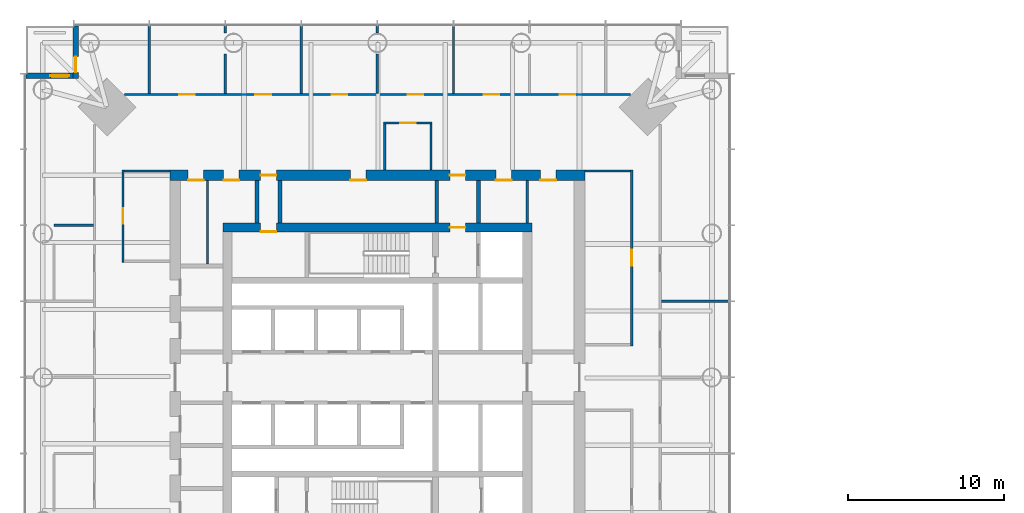
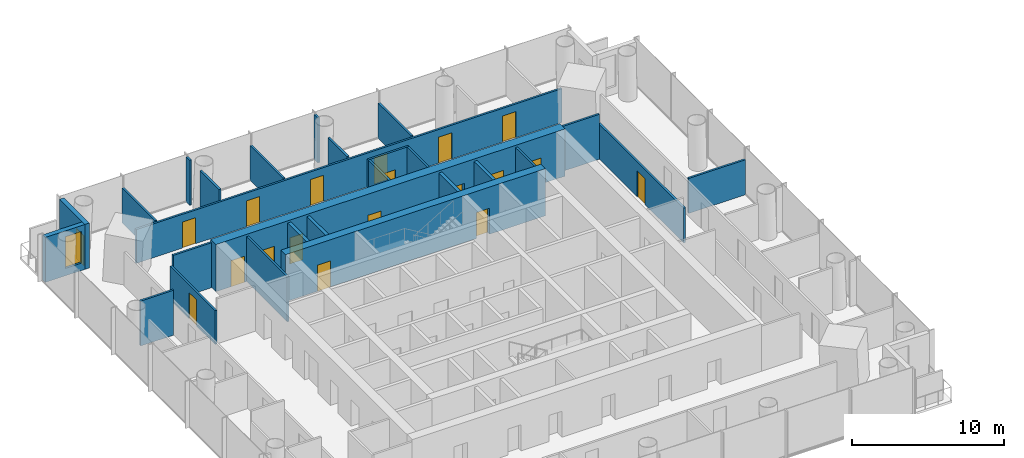
# One storey, part 11 of 20: 27 walls, 19 doors, 1 window, 20 openings.
"""IFC4 building model written with IfcOpenShell, lengths in metres."""

from ifc_helpers import new_model, si_unit, direction, frame, frame_2d, origin, place, context, subcontext, project, spatial, rectangle, extrude, material, layer, layer_set, type_object, element, fill, save


model = new_model("IFC4")

# Units and contexts
model_context = context("Model", 3, precision=1e-05, world=origin(), true_north=direction((0.0, 1.0)))
body_context = subcontext(model_context, "Body", "Model", "MODEL_VIEW")
ifc_project = project(units=[si_unit("LENGTHUNIT", "METRE"), si_unit("AREAUNIT", "SQUARE_METRE"), si_unit("VOLUMEUNIT", "CUBIC_METRE"), si_unit("PLANEANGLEUNIT", "RADIAN"), si_unit("MASSUNIT", "GRAM", prefix="KILO")], contexts=[model_context])

# Site, building, storey
site_placement = place(None, origin())
site = spatial("IfcSite", under=ifc_project, at=site_placement, CompositionType="ELEMENT")
building_placement = place(site_placement, origin())
building = spatial("IfcBuilding", under=site, at=building_placement, Name="Ostroluk Exchange", CompositionType="ELEMENT")
storey_placement = place(building_placement, frame((0.0, 0.0, 100.800048828125)))
storey = spatial("IfcBuildingStorey", under=building, at=storey_placement, Name="L25", CompositionType="ELEMENT", Elevation=100.800048828125)

# Walls
ifc_material_1 = material(Name="Concrete blockwork", Category="masonry")
ifc_layer_1 = layer(ifc_material_1, 0.14990234375)
ifc_layer_set_1 = layer_set([ifc_layer_1], Name="Blockwork plant room wall 150")
wall_type_1 = type_object("IfcWallType", Name="Blockwork plant room wall 150", PredefinedType="SOLIDWALL", material=ifc_layer_set_1)
wall_1_placement = place(storey_placement, frame((34.118896484375, 53.25, 0.0), z_axis=(0.0, 0.0, 1.0), x_axis=(0.0, 1.0, 0.0)))
element("IfcWall", 1, at=wall_1_placement, inside=storey, type_object=wall_type_1, Name="Core room wall", PredefinedType="SOLIDWALL", context=body_context, shape_type="SweptSolid", body=[
    extrude(rectangle(XDim=5.35009765625, YDim=0.14990234375, at=frame_2d((2.675048828125, 0.0))), origin(), (0.0, 0.0, 1.0), 3.619873046875),
])
wall_2_placement = place(storey_placement, frame((54.60009765625, 55.89990234375, 0.0), z_axis=(0.0, 0.0, 1.0), x_axis=(0.0, 1.0, 0.0)))
element("IfcWall", 2, at=wall_2_placement, inside=storey, type_object=wall_type_1, Name="Core room wall", PredefinedType="SOLIDWALL", context=body_context, shape_type="SweptSolid", body=[
    extrude(rectangle(XDim=2.7001953125, YDim=0.14990234375, at=frame_2d((1.35009765625, 0.0))), origin(), (0.0, 0.0, 1.0), 3.619873046875),
])
ifc_material_2 = material(Name="Concrete blockwork", Category="masonry")
ifc_layer_2 = layer(ifc_material_2, 0.25)
ifc_layer_set_2 = layer_set([ifc_layer_2], Name="Blockwork stair enclosure wall 250")
wall_type_2 = type_object("IfcWallType", Name="Blockwork stair enclosure wall 250", PredefinedType="SOLIDWALL", material=ifc_layer_set_2)
for number, where, z_axis, x_axis, name in (
    (3, (48.804931640625, 55.89990234375, 0.0), (0.0, 0.0, 1.0), (0.0, 1.0, 0.0), "Fire lobby enclosure wall"),
    (4, (51.47509765625, 55.89990234375, 0.0), (0.0, 0.0, 1.0), (0.0, 1.0, 0.0), "Fire lobby enclosure wall"),
    (5, (37.300048828125, 55.89990234375, 0.0), (0.0, 0.0, 1.0), (0.0, 1.0, 0.0), "Core corridor wall"),
    (6, (38.75, 55.89990234375, 0.0), (0.0, 0.0, 1.0), (0.0, 1.0, 0.0), "Core corridor wall"),
):
    element("IfcWall", number, at=place(storey_placement, frame(where, z_axis=z_axis, x_axis=x_axis)), inside=storey, type_object=wall_type_2, Name=name, PredefinedType="SOLIDWALL", context=body_context, shape_type="SweptSolid", body=[
        extrude(rectangle(XDim=2.7001953125, YDim=0.25, at=frame_2d((1.35009765625, 0.0))), origin(), (0.0, 0.0, 1.0), 3.619873046875),
    ])

# Wall, openings, doors
ifc_material_3 = material(Name="Concrete C50/60", Category="concrete")
ifc_layer_3 = layer(ifc_material_3, 0.60009765625)
ifc_layer_set_3 = layer_set([ifc_layer_3], Name="Core wall 600 C50/60")
wall_type_3 = type_object("IfcWallType", Name="Core wall 600 C50/60", PredefinedType="SHEAR", material=ifc_layer_set_3)
wall_3_placement = place(storey_placement, frame((35.10009765625, 55.60009765625, 0.0), z_axis=(0.0, 0.0, 1.0), x_axis=(1.0, 0.0, 0.0)))
wall_3 = element("IfcWall", 7, at=wall_3_placement, inside=storey, type_object=wall_type_3, Name="T1 core wall N", PredefinedType="SHEAR", context=body_context, shape_type="SweptSolid", body=[
    extrude(rectangle(XDim=19.7998046875, YDim=0.60009765625, at=frame_2d((9.89990234375, 0.0))), origin(), (0.0, 0.0, 1.0), 3.800048828125),
])
opening_1_placement = place(wall_3_placement, frame((14.5400390625, 0.0, 0.0)))
opening_1 = element("IfcOpeningElement", 8, at=opening_1_placement, cuts=wall_3, Name="Opening FD60", PredefinedType="OPENING", context=body_context, shape_type="SweptSolid", body=[
    extrude(rectangle(XDim=1.0, YDim=2.10009765625, at=frame_2d((0.5, 1.050048828125))), frame((0.0, 0.31005859375, 0.0), z_axis=(0.0, -1.0, 0.0), x_axis=(1.0, 0.0, 0.0)), (0.0, 0.0, 1.0), 0.6201171875),
])
opening_2_placement = place(wall_3_placement, frame((2.425048828125, 0.0, 0.0)))
opening_2 = element("IfcOpeningElement", 9, at=opening_2_placement, cuts=wall_3, Name="Opening FD60", PredefinedType="OPENING", context=body_context, shape_type="SweptSolid", body=[
    extrude(rectangle(XDim=1.0, YDim=2.10009765625, at=frame_2d((0.5, 1.050048828125))), frame((0.0, 0.31005859375, 0.0), z_axis=(0.0, -1.0, 0.0), x_axis=(1.0, 0.0, 0.0)), (0.0, 0.0, 1.0), 0.6201171875),
])
ifc_material_4 = material(Name="Steel", Category="steel")
door_type_1 = type_object("IfcDoorType", Name="Fire door EI 60 1000 x 2100", OperationType="SINGLE_SWING_LEFT", PredefinedType="DOOR", material=ifc_material_4)
door_1_placement = place(opening_1_placement, origin())
door_1 = element("IfcDoor", 10, at=door_1_placement, inside=storey, type_object=door_type_1, Name="Firefighting lobby door", OperationType="SINGLE_SWING_RIGHT", OverallHeight=2.10009765625, OverallWidth=1.0, PredefinedType="DOOR", context=body_context, shape_type="SweptSolid", body=[
    extrude(rectangle(XDim=1.0, YDim=2.10009765625, at=frame_2d((0.5, 1.050048828125))), frame((0.0, 0.02490234375, 0.0), z_axis=(0.0, -1.0, 0.0), x_axis=(1.0, 0.0, 0.0)), (0.0, 0.0, 1.0), 0.050048828125),
])
fill(opening_1, door_1)
door_2_placement = place(opening_2_placement, origin())
door_2 = element("IfcDoor", 11, at=door_2_placement, inside=storey, type_object=door_type_1, Name="Tea point door", OperationType="SINGLE_SWING_LEFT", OverallHeight=2.10009765625, OverallWidth=1.0, PredefinedType="DOOR", context=body_context, shape_type="SweptSolid", body=[
    extrude(rectangle(XDim=1.0, YDim=2.10009765625, at=frame_2d((0.5, 1.050048828125))), frame((0.0, -0.23974609375, 0.0), z_axis=(0.0, -1.0, 0.0), x_axis=(1.0, 0.0, 0.0)), (0.0, 0.0, 1.0), 0.050048828125),
])
fill(opening_2, door_2)

ifc_material_5 = material(Name="Concrete C50/60", Category="concrete")
ifc_layer_4 = layer(ifc_material_5, 0.699951171875)
ifc_layer_set_4 = layer_set([ifc_layer_4], Name="Core wall 700 C50/60")
wall_type_4 = type_object("IfcWallType", Name="Core wall 700 C50/60", PredefinedType="SHEAR", material=ifc_layer_set_4)
wall_4_placement = place(storey_placement, frame((31.699951171875, 58.949951171875, 0.0), z_axis=(0.0, 0.0, 1.0), x_axis=(1.0, 0.0, 0.0)))
wall_4 = element("IfcWall", 12, at=wall_4_placement, inside=storey, type_object=wall_type_4, Name="T1 core wall RN", PredefinedType="SHEAR", context=body_context, shape_type="SweptSolid", body=[
    extrude(rectangle(XDim=26.60009765625, YDim=0.699951171875, at=frame_2d((13.300048828125, 0.0))), origin(), (0.0, 0.0, 1.0), 3.800048828125),
])
opening_3_placement = place(wall_4_placement, frame((17.93994140625, 0.0, 0.0)))
opening_3 = element("IfcOpeningElement", 13, at=opening_3_placement, cuts=wall_4, Name="Opening FD60", PredefinedType="OPENING", context=body_context, shape_type="SweptSolid", body=[
    extrude(rectangle(XDim=1.0, YDim=2.10009765625, at=frame_2d((0.5, 1.050048828125))), frame((0.0, 0.35986328125, 0.0), z_axis=(0.0, -1.0, 0.0), x_axis=(1.0, 0.0, 0.0)), (0.0, 0.0, 1.0), 0.719970703125),
])
opening_4_placement = place(wall_4_placement, frame((5.824951171875, 0.0, 0.0)))
opening_4 = element("IfcOpeningElement", 14, at=opening_4_placement, cuts=wall_4, Name="Opening FD60", PredefinedType="OPENING", context=body_context, shape_type="SweptSolid", body=[
    extrude(rectangle(XDim=1.0, YDim=2.10009765625, at=frame_2d((0.5, 1.050048828125))), frame((0.0, 0.35986328125, 0.0), z_axis=(0.0, -1.0, 0.0), x_axis=(1.0, 0.0, 0.0)), (0.0, 0.0, 1.0), 0.719970703125),
])
opening_5_placement = place(wall_4_placement, frame((1.1689453125, 0.0, 0.0)))
opening_5 = element("IfcOpeningElement", 15, at=opening_5_placement, cuts=wall_4, Name="Opening FD60", PredefinedType="OPENING", context=body_context, shape_type="SweptSolid", body=[
    extrude(rectangle(XDim=1.0, YDim=2.10009765625, at=frame_2d((0.5, 1.050048828125))), frame((0.0, 0.35986328125, 0.0), z_axis=(0.0, -1.0, 0.0), x_axis=(1.0, 0.0, 0.0)), (0.0, 0.0, 1.0), 0.719970703125),
])
opening_6_placement = place(wall_4_placement, frame((3.447021484375, 0.0, 0.0)))
opening_6 = element("IfcOpeningElement", 16, at=opening_6_placement, cuts=wall_4, Name="Opening FD60", PredefinedType="OPENING", context=body_context, shape_type="SweptSolid", body=[
    extrude(rectangle(XDim=1.0, YDim=2.10009765625, at=frame_2d((0.5, 1.050048828125))), frame((0.0, 0.35986328125, 0.0), z_axis=(0.0, -1.0, 0.0), x_axis=(1.0, 0.0, 0.0)), (0.0, 0.0, 1.0), 0.719970703125),
])
opening_7_placement = place(wall_4_placement, frame((11.577392578125, 0.0, 0.0)))
opening_7 = element("IfcOpeningElement", 17, at=opening_7_placement, cuts=wall_4, Name="Opening FD60", PredefinedType="OPENING", context=body_context, shape_type="SweptSolid", body=[
    extrude(rectangle(XDim=1.0, YDim=2.10009765625, at=frame_2d((0.5, 1.050048828125))), frame((0.0, 0.35986328125, 0.0), z_axis=(0.0, -1.0, 0.0), x_axis=(1.0, 0.0, 0.0)), (0.0, 0.0, 1.0), 0.719970703125),
])
opening_8_placement = place(wall_4_placement, frame((20.89990234375, 0.0, 0.0)))
opening_8 = element("IfcOpeningElement", 18, at=opening_8_placement, cuts=wall_4, Name="Opening FD60", PredefinedType="OPENING", context=body_context, shape_type="SweptSolid", body=[
    extrude(rectangle(XDim=1.0, YDim=2.10009765625, at=frame_2d((0.5, 1.050048828125))), frame((0.0, 0.35986328125, 0.0), z_axis=(0.0, -1.0, 0.0), x_axis=(1.0, 0.0, 0.0)), (0.0, 0.0, 1.0), 0.719970703125),
])
opening_9_placement = place(wall_4_placement, frame((23.75, 0.0, 0.0)))
opening_9 = element("IfcOpeningElement", 19, at=opening_9_placement, cuts=wall_4, Name="Opening FD60", PredefinedType="OPENING", context=body_context, shape_type="SweptSolid", body=[
    extrude(rectangle(XDim=1.0, YDim=2.10009765625, at=frame_2d((0.5, 1.050048828125))), frame((0.0, 0.35986328125, 0.0), z_axis=(0.0, -1.0, 0.0), x_axis=(1.0, 0.0, 0.0)), (0.0, 0.0, 1.0), 0.719970703125),
])
door_3_placement = place(opening_3_placement, origin())
door_3 = element("IfcDoor", 20, at=door_3_placement, inside=storey, type_object=door_type_1, Name="Firefighting lobby door", OperationType="SINGLE_SWING_RIGHT", OverallHeight=2.10009765625, OverallWidth=1.0, PredefinedType="DOOR", context=body_context, shape_type="SweptSolid", body=[
    extrude(rectangle(XDim=1.0, YDim=2.10009765625, at=frame_2d((0.5, 1.050048828125))), frame((0.0, 0.02490234375, 0.0), z_axis=(0.0, -1.0, 0.0), x_axis=(1.0, 0.0, 0.0)), (0.0, 0.0, 1.0), 0.050048828125),
])
fill(opening_3, door_3)
door_4_placement = place(opening_4_placement, origin())
door_4 = element("IfcDoor", 21, at=door_4_placement, inside=storey, type_object=door_type_1, Name="Core corridor door", OperationType="SINGLE_SWING_LEFT", OverallHeight=2.10009765625, OverallWidth=1.0, PredefinedType="DOOR", context=body_context, shape_type="SweptSolid", body=[
    extrude(rectangle(XDim=1.0, YDim=2.10009765625, at=frame_2d((0.5, 1.050048828125))), frame((0.0, 0.02490234375, 0.0), z_axis=(0.0, -1.0, 0.0), x_axis=(1.0, 0.0, 0.0)), (0.0, 0.0, 1.0), 0.050048828125),
])
fill(opening_4, door_4)
door_5_placement = place(opening_5_placement, origin())
door_5 = element("IfcDoor", 22, at=door_5_placement, inside=storey, type_object=door_type_1, Name="Tenant IT room door", OperationType="SINGLE_SWING_LEFT", OverallHeight=2.10009765625, OverallWidth=1.0, PredefinedType="DOOR", context=body_context, shape_type="SweptSolid", body=[
    extrude(rectangle(XDim=1.0, YDim=2.10009765625, at=frame_2d((0.5, 1.050048828125))), frame((0.0, -0.2900390625, 0.0), z_axis=(0.0, -1.0, 0.0), x_axis=(1.0, 0.0, 0.0)), (0.0, 0.0, 1.0), 0.050048828125),
])
fill(opening_5, door_5)
door_6_placement = place(opening_6_placement, origin())
door_6 = element("IfcDoor", 23, at=door_6_placement, inside=storey, type_object=door_type_1, Name="First aid room door", OperationType="SINGLE_SWING_LEFT", OverallHeight=2.10009765625, OverallWidth=1.0, PredefinedType="DOOR", context=body_context, shape_type="SweptSolid", body=[
    extrude(rectangle(XDim=1.0, YDim=2.10009765625, at=frame_2d((0.5, 1.050048828125))), frame((0.0, -0.2900390625, 0.0), z_axis=(0.0, -1.0, 0.0), x_axis=(1.0, 0.0, 0.0)), (0.0, 0.0, 1.0), 0.050048828125),
])
fill(opening_6, door_6)
door_7_placement = place(opening_7_placement, origin())
door_7 = element("IfcDoor", 24, at=door_7_placement, inside=storey, type_object=door_type_1, Name="Print and post room door", OperationType="SINGLE_SWING_LEFT", OverallHeight=2.10009765625, OverallWidth=1.0, PredefinedType="DOOR", context=body_context, shape_type="SweptSolid", body=[
    extrude(rectangle(XDim=1.0, YDim=2.10009765625, at=frame_2d((0.5, 1.050048828125))), frame((0.0, -0.2900390625, 0.0), z_axis=(0.0, -1.0, 0.0), x_axis=(1.0, 0.0, 0.0)), (0.0, 0.0, 1.0), 0.050048828125),
])
fill(opening_7, door_7)
door_8_placement = place(opening_8_placement, origin())
door_8 = element("IfcDoor", 25, at=door_8_placement, inside=storey, type_object=door_type_1, Name="First aid room door", OperationType="SINGLE_SWING_RIGHT", OverallHeight=2.10009765625, OverallWidth=1.0, PredefinedType="DOOR", context=body_context, shape_type="SweptSolid", body=[
    extrude(rectangle(XDim=1.0, YDim=2.10009765625, at=frame_2d((0.5, 1.050048828125))), frame((0.0, -0.2900390625, 0.0), z_axis=(0.0, -1.0, 0.0), x_axis=(1.0, 0.0, 0.0)), (0.0, 0.0, 1.0), 0.050048828125),
])
fill(opening_8, door_8)
door_9_placement = place(opening_9_placement, origin())
door_9 = element("IfcDoor", 26, at=door_9_placement, inside=storey, type_object=door_type_1, Name="Tea point door", OperationType="SINGLE_SWING_RIGHT", OverallHeight=2.10009765625, OverallWidth=1.0, PredefinedType="DOOR", context=body_context, shape_type="SweptSolid", body=[
    extrude(rectangle(XDim=1.0, YDim=2.10009765625, at=frame_2d((0.5, 1.050048828125))), frame((0.0, -0.2900390625, 0.0), z_axis=(0.0, -1.0, 0.0), x_axis=(1.0, 0.0, 0.0)), (0.0, 0.0, 1.0), 0.050048828125),
])
fill(opening_9, door_9)

# Wall, opening, door
ifc_material_6 = material(Name="Limestone", Category="masonry")
ifc_layer_5 = layer(ifc_material_6, 0.35009765625)
ifc_layer_set_5 = layer_set([ifc_layer_5], Name="Limestone facade wall 350")
wall_type_5 = type_object("IfcWallType", Name="Limestone facade wall 350", PredefinedType="SOLIDWALL", material=ifc_layer_set_5)
wall_5_placement = place(storey_placement, frame((25.675048828125, 68.5, 0.0), z_axis=(0.0, 0.0, 1.0), x_axis=(0.0, -1.0, 0.0)))
wall_5 = element("IfcWall", 27, at=wall_5_placement, inside=storey, type_object=wall_type_5, Name="Office tower NW corner wall L25 a", PredefinedType="SOLIDWALL", context=body_context, shape_type="SweptSolid", body=[
    extrude(rectangle(XDim=3.35009765625, YDim=0.35009765625, at=frame_2d((1.675048828125, 0.0))), origin(), (0.0, 0.0, 1.0), 3.619873046875),
])
opening_10_placement = place(wall_5_placement, frame((1.949951171875, 0.0, 0.0)))
opening_10 = element("IfcOpeningElement", 28, at=opening_10_placement, cuts=wall_5, Name="Opening D-B1", PredefinedType="OPENING", context=body_context, shape_type="SweptSolid", body=[
    extrude(rectangle(XDim=1.0, YDim=2.39990234375, at=frame_2d((0.5, 1.199951171875))), frame((0.0, 0.18505859375, 0.0), z_axis=(0.0, -1.0, 0.0), x_axis=(1.0, 0.0, 0.0)), (0.0, 0.0, 1.0), 0.3701171875),
])
ifc_material_7 = material(Name="Bronze framed glazed door", Category="aluminium")
door_type_2 = type_object("IfcDoorType", Name="Balcony door 1000 x 2400", OperationType="SINGLE_SWING_LEFT", PredefinedType="DOOR", material=ifc_material_7)
door_10_placement = place(opening_10_placement, origin())
door_10 = element("IfcDoor", 29, at=door_10_placement, inside=storey, type_object=door_type_2, Name="Office tower NW balcony door L25", OperationType="SINGLE_SWING_RIGHT", OverallHeight=2.39990234375, OverallWidth=1.0, PredefinedType="DOOR", context=body_context, shape_type="SweptSolid", body=[
    extrude(rectangle(XDim=1.0, YDim=2.39990234375, at=frame_2d((0.5, 1.199951171875))), frame((0.0, 0.02490234375, 0.0), z_axis=(0.0, -1.0, 0.0), x_axis=(1.0, 0.0, 0.0)), (0.0, 0.0, 1.0), 0.050048828125),
])
fill(opening_10, door_10)

# Wall, opening, window
wall_6_placement = place(storey_placement, frame((25.5, 65.324951171875, 0.0), z_axis=(0.0, 0.0, 1.0), x_axis=(-1.0, 0.0, 0.0)))
wall_6 = element("IfcWall", 30, at=wall_6_placement, inside=storey, type_object=wall_type_5, Name="Office tower NW corner wall L25 b", PredefinedType="SOLIDWALL", context=body_context, shape_type="SweptSolid", body=[
    extrude(rectangle(XDim=3.0, YDim=0.35009765625, at=frame_2d((1.5, 0.0))), origin(), (0.0, 0.0, 1.0), 3.619873046875),
])
opening_11_placement = place(wall_6_placement, frame((0.25, 0.0, 0.60009765625)))
opening_11 = element("IfcOpeningElement", 31, at=opening_11_placement, cuts=wall_6, Name="Opening WN-L1", PredefinedType="OPENING", context=body_context, shape_type="SweptSolid", body=[
    extrude(rectangle(XDim=1.199951171875, YDim=2.550048828125, at=frame_2d((0.60009765625, 1.27490234375))), frame((0.0, 0.18505859375, 0.0), z_axis=(0.0, -1.0, 0.0), x_axis=(1.0, 0.0, 0.0)), (0.0, 0.0, 1.0), 0.3701171875),
])
ifc_material_8 = material(Name="Laminated clear glass", Category="glass")
window_type = type_object("IfcWindowType", Name="Lancet window 1200 x 2550", PartitioningType="SINGLE_PANEL", PredefinedType="WINDOW", material=ifc_material_8)
window_placement = place(opening_11_placement, origin())
window = element("IfcWindow", 32, at=window_placement, inside=storey, type_object=window_type, Name="Office tower NW lancet window L25", OverallHeight=2.550048828125, OverallWidth=1.199951171875, PartitioningType="SINGLE_PANEL", PredefinedType="WINDOW", context=body_context, shape_type="SweptSolid", body=[
    extrude(rectangle(XDim=1.199951171875, YDim=2.550048828125, at=frame_2d((0.60009765625, 1.27490234375))), frame((0.0, 0.030029296875, 0.0), z_axis=(0.0, -1.0, 0.0), x_axis=(1.0, 0.0, 0.0)), (0.0, 0.0, 1.0), 0.06005859375),
])
fill(opening_11, window)

# Wall, opening, door
ifc_material_9 = material(Name="Gypsum plasterboard partition", Category="gypsum")
ifc_layer_6 = layer(ifc_material_9, 0.14990234375)
ifc_layer_set_6 = layer_set([ifc_layer_6], Name="Plasterboard partition 150")
wall_type_6 = type_object("IfcWallType", Name="Plasterboard partition 150", PredefinedType="PARTITIONING", material=ifc_layer_set_6)
wall_7_placement = place(storey_placement, frame((61.300048828125, 48.02490234375, 0.0), z_axis=(0.0, 0.0, 1.0), x_axis=(0.0, 1.0, 0.0)))
wall_7 = element("IfcWall", 33, at=wall_7_placement, inside=storey, type_object=wall_type_6, Name="Partition", PredefinedType="PARTITIONING", context=body_context, shape_type="SweptSolid", body=[
    extrude(rectangle(XDim=11.275146484375, YDim=0.14990234375, at=frame_2d((5.6376953125, 0.0))), origin(), (0.0, 0.0, 1.0), 2.805908203125),
])
opening_12_placement = place(wall_7_placement, frame((5.137451171875, 0.0, 0.0)))
opening_12 = element("IfcOpeningElement", 34, at=opening_12_placement, cuts=wall_7, Name="Opening D-03", PredefinedType="OPENING", context=body_context, shape_type="SweptSolid", body=[
    extrude(rectangle(XDim=1.0, YDim=2.10009765625, at=frame_2d((0.5, 1.050048828125))), frame((0.0, 0.0849609375, 0.0), z_axis=(0.0, -1.0, 0.0), x_axis=(1.0, 0.0, 0.0)), (0.0, 0.0, 1.0), 0.169921875),
])
ifc_material_10 = material(Name="Timber", Category="wood")
door_type_3 = type_object("IfcDoorType", Name="Internal door 1000 x 2100", OperationType="SINGLE_SWING_LEFT", PredefinedType="DOOR", material=ifc_material_10)
door_11_placement = place(opening_12_placement, origin())
door_11 = element("IfcDoor", 35, at=door_11_placement, inside=storey, type_object=door_type_3, Name="Quiet room door", OperationType="SINGLE_SWING_RIGHT", OverallHeight=2.10009765625, OverallWidth=1.0, PredefinedType="DOOR", context=body_context, shape_type="SweptSolid", body=[
    extrude(rectangle(XDim=1.0, YDim=2.10009765625, at=frame_2d((0.5, 1.050048828125))), frame((0.0, 0.02490234375, 0.0), z_axis=(0.0, -1.0, 0.0), x_axis=(1.0, 0.0, 0.0)), (0.0, 0.0, 1.0), 0.050048828125),
])
fill(opening_12, door_11)

# Wall
wall_8_placement = place(storey_placement, frame((58.300048828125, 59.22509765625, 0.0), z_axis=(0.0, 0.0, 1.0), x_axis=(1.0, 0.0, 0.0)))
element("IfcWall", 36, at=wall_8_placement, inside=storey, type_object=wall_type_6, Name="Partition", PredefinedType="PARTITIONING", context=body_context, shape_type="SweptSolid", body=[
    extrude(rectangle(XDim=2.925048828125, YDim=0.14990234375, at=frame_2d((1.46240234375, 0.0))), origin(), (0.0, 0.0, 1.0), 3.619873046875),
])

# Wall, opening, door
wall_9_placement = place(storey_placement, frame((48.514892578125, 62.300048828125, 0.0), z_axis=(0.0, 0.0, 1.0), x_axis=(-1.0, 0.0, 0.0)))
wall_9 = element("IfcWall", 37, at=wall_9_placement, inside=storey, type_object=wall_type_6, Name="Partition", PredefinedType="PARTITIONING", context=body_context, shape_type="SweptSolid", body=[
    extrude(rectangle(XDim=3.1123046875, YDim=0.14990234375, at=frame_2d((1.55615234375, 0.0))), origin(), (0.0, 0.0, 1.0), 3.619873046875),
])
opening_13_placement = place(wall_9_placement, frame((1.05615234375, 0.0, 0.0)))
opening_13 = element("IfcOpeningElement", 38, at=opening_13_placement, cuts=wall_9, Name="Opening D-03", PredefinedType="OPENING", context=body_context, shape_type="SweptSolid", body=[
    extrude(rectangle(XDim=1.0, YDim=2.10009765625, at=frame_2d((0.5, 1.050048828125))), frame((0.0, 0.0849609375, 0.0), z_axis=(0.0, -1.0, 0.0), x_axis=(1.0, 0.0, 0.0)), (0.0, 0.0, 1.0), 0.169921875),
])
door_12_placement = place(opening_13_placement, origin())
door_12 = element("IfcDoor", 39, at=door_12_placement, inside=storey, type_object=door_type_3, Name="Meeting room door", OperationType="SINGLE_SWING_RIGHT", OverallHeight=2.10009765625, OverallWidth=1.0, PredefinedType="DOOR", context=body_context, shape_type="SweptSolid", body=[
    extrude(rectangle(XDim=1.0, YDim=2.10009765625, at=frame_2d((0.5, 1.050048828125))), frame((0.0, 0.02490234375, 0.0), z_axis=(0.0, -1.0, 0.0), x_axis=(1.0, 0.0, 0.0)), (0.0, 0.0, 1.0), 0.050048828125),
])
fill(opening_13, door_12)

# Walls
for number, where, z_axis, x_axis, name in (
    (40, (48.43994140625, 59.300048828125, 0.0), (0.0, 0.0, 1.0), (0.0, 1.0, 0.0), "Partition"),
    (41, (45.4775390625, 59.300048828125, 0.0), (0.0, 0.0, 1.0), (0.0, 1.0, 0.0), "Partition"),
):
    element("IfcWall", number, at=place(storey_placement, frame(where, z_axis=z_axis, x_axis=x_axis)), inside=storey, type_object=wall_type_6, Name=name, PredefinedType="PARTITIONING", context=body_context, shape_type="SweptSolid", body=[
        extrude(rectangle(XDim=2.925048828125, YDim=0.14990234375, at=frame_2d((1.46240234375, 0.0))), origin(), (0.0, 0.0, 1.0), 3.619873046875),
    ])

# Wall, opening, door
wall_10_placement = place(storey_placement, frame((28.699951171875, 59.300048828125, 0.0), z_axis=(0.0, 0.0, 1.0), x_axis=(0.0, -1.0, 0.0)))
wall_10 = element("IfcWall", 42, at=wall_10_placement, inside=storey, type_object=wall_type_6, Name="Partition", PredefinedType="PARTITIONING", context=body_context, shape_type="SweptSolid", body=[
    extrude(rectangle(XDim=5.925048828125, YDim=0.14990234375, at=frame_2d((2.96240234375, 0.0))), origin(), (0.0, 0.0, 1.0), 2.719970703125),
])
opening_14_placement = place(wall_10_placement, frame((2.46240234375, 0.0, 0.0)))
opening_14 = element("IfcOpeningElement", 43, at=opening_14_placement, cuts=wall_10, Name="Opening D-03", PredefinedType="OPENING", context=body_context, shape_type="SweptSolid", body=[
    extrude(rectangle(XDim=1.0, YDim=2.10009765625, at=frame_2d((0.5, 1.050048828125))), frame((0.0, 0.0849609375, 0.0), z_axis=(0.0, -1.0, 0.0), x_axis=(1.0, 0.0, 0.0)), (0.0, 0.0, 1.0), 0.169921875),
])
door_13_placement = place(opening_14_placement, origin())
door_13 = element("IfcDoor", 44, at=door_13_placement, inside=storey, type_object=door_type_3, Name="Quiet room door", OperationType="SINGLE_SWING_RIGHT", OverallHeight=2.10009765625, OverallWidth=1.0, PredefinedType="DOOR", context=body_context, shape_type="SweptSolid", body=[
    extrude(rectangle(XDim=1.0, YDim=2.10009765625, at=frame_2d((0.5, 1.050048828125))), frame((0.0, 0.02490234375, 0.0), z_axis=(0.0, -1.0, 0.0), x_axis=(1.0, 0.0, 0.0)), (0.0, 0.0, 1.0), 0.050048828125),
])
fill(opening_14, door_13)

# Walls
wall_11_placement = place(storey_placement, frame((31.699951171875, 59.22509765625, 0.0), z_axis=(0.0, 0.0, 1.0), x_axis=(-1.0, 0.0, 0.0)))
element("IfcWall", 45, at=wall_11_placement, inside=storey, type_object=wall_type_6, Name="Partition", PredefinedType="PARTITIONING", context=body_context, shape_type="SweptSolid", body=[
    extrude(rectangle(XDim=2.925048828125, YDim=0.14990234375, at=frame_2d((1.46240234375, 0.0))), origin(), (0.0, 0.0, 1.0), 3.619873046875),
])
wall_12_placement = place(storey_placement, frame((63.199951171875, 50.875, 0.0), z_axis=(0.0, 0.0, 1.0), x_axis=(1.0, 0.0, 0.0)))
element("IfcWall", 46, at=wall_12_placement, inside=storey, type_object=wall_type_6, Name="Partition", PredefinedType="PARTITIONING", context=body_context, shape_type="SweptSolid", body=[
    extrude(rectangle(XDim=4.340087890625, YDim=0.14990234375, at=frame_2d((2.169921875, 0.0))), origin(), (0.0, 0.0, 1.0), 2.820068359375),
])

# Wall, openings, doors
wall_13_placement = place(storey_placement, frame((61.21142578125, 64.125, 0.0), z_axis=(0.0, 0.0, 1.0), x_axis=(-1.0, 0.0, 0.0)))
wall_13 = element("IfcWall", 47, at=wall_13_placement, inside=storey, type_object=wall_type_6, Name="Partition", PredefinedType="PARTITIONING", context=body_context, shape_type="SweptSolid", body=[
    extrude(rectangle(XDim=32.4228515625, YDim=0.14990234375, at=frame_2d((16.21142578125, 0.0))), origin(), (0.0, 0.0, 1.0), 2.719970703125),
])
opening_15_placement = place(wall_13_placement, frame((3.52392578125, 0.0, 0.0)))
opening_15 = element("IfcOpeningElement", 48, at=opening_15_placement, cuts=wall_13, Name="Opening D-03", PredefinedType="OPENING", context=body_context, shape_type="SweptSolid", body=[
    extrude(rectangle(XDim=1.0, YDim=2.10009765625, at=frame_2d((0.5, 1.050048828125))), frame((0.0, 0.0849609375, 0.0), z_axis=(0.0, -1.0, 0.0), x_axis=(1.0, 0.0, 0.0)), (0.0, 0.0, 1.0), 0.169921875),
])
opening_16_placement = place(wall_13_placement, frame((8.39892578125, 0.0, 0.0)))
opening_16 = element("IfcOpeningElement", 49, at=opening_16_placement, cuts=wall_13, Name="Opening D-03", PredefinedType="OPENING", context=body_context, shape_type="SweptSolid", body=[
    extrude(rectangle(XDim=1.0, YDim=2.10009765625, at=frame_2d((0.5, 1.050048828125))), frame((0.0, 0.0849609375, 0.0), z_axis=(0.0, -1.0, 0.0), x_axis=(1.0, 0.0, 0.0)), (0.0, 0.0, 1.0), 0.169921875),
])
opening_17_placement = place(wall_13_placement, frame((13.27392578125, 0.0, 0.0)))
opening_17 = element("IfcOpeningElement", 50, at=opening_17_placement, cuts=wall_13, Name="Opening D-03", PredefinedType="OPENING", context=body_context, shape_type="SweptSolid", body=[
    extrude(rectangle(XDim=1.0, YDim=2.10009765625, at=frame_2d((0.5, 1.050048828125))), frame((0.0, 0.0849609375, 0.0), z_axis=(0.0, -1.0, 0.0), x_axis=(1.0, 0.0, 0.0)), (0.0, 0.0, 1.0), 0.169921875),
])
opening_18_placement = place(wall_13_placement, frame((18.14892578125, 0.0, 0.0)))
opening_18 = element("IfcOpeningElement", 51, at=opening_18_placement, cuts=wall_13, Name="Opening D-03", PredefinedType="OPENING", context=body_context, shape_type="SweptSolid", body=[
    extrude(rectangle(XDim=1.0, YDim=2.10009765625, at=frame_2d((0.5, 1.050048828125))), frame((0.0, 0.0849609375, 0.0), z_axis=(0.0, -1.0, 0.0), x_axis=(1.0, 0.0, 0.0)), (0.0, 0.0, 1.0), 0.169921875),
])
opening_19_placement = place(wall_13_placement, frame((23.02392578125, 0.0, 0.0)))
opening_19 = element("IfcOpeningElement", 52, at=opening_19_placement, cuts=wall_13, Name="Opening D-03", PredefinedType="OPENING", context=body_context, shape_type="SweptSolid", body=[
    extrude(rectangle(XDim=1.0, YDim=2.10009765625, at=frame_2d((0.5, 1.050048828125))), frame((0.0, 0.0849609375, 0.0), z_axis=(0.0, -1.0, 0.0), x_axis=(1.0, 0.0, 0.0)), (0.0, 0.0, 1.0), 0.169921875),
])
opening_20_placement = place(wall_13_placement, frame((27.89892578125, 0.0, 0.0)))
opening_20 = element("IfcOpeningElement", 53, at=opening_20_placement, cuts=wall_13, Name="Opening D-03", PredefinedType="OPENING", context=body_context, shape_type="SweptSolid", body=[
    extrude(rectangle(XDim=1.0, YDim=2.10009765625, at=frame_2d((0.5, 1.050048828125))), frame((0.0, 0.0849609375, 0.0), z_axis=(0.0, -1.0, 0.0), x_axis=(1.0, 0.0, 0.0)), (0.0, 0.0, 1.0), 0.169921875),
])
door_14_placement = place(opening_15_placement, origin())
door_14 = element("IfcDoor", 54, at=door_14_placement, inside=storey, type_object=door_type_3, Name="Office door", OperationType="SINGLE_SWING_LEFT", OverallHeight=2.10009765625, OverallWidth=1.0, PredefinedType="DOOR", context=body_context, shape_type="SweptSolid", body=[
    extrude(rectangle(XDim=1.0, YDim=2.10009765625, at=frame_2d((0.5, 1.050048828125))), frame((0.0, 0.02490234375, 0.0), z_axis=(0.0, -1.0, 0.0), x_axis=(1.0, 0.0, 0.0)), (0.0, 0.0, 1.0), 0.050048828125),
])
fill(opening_15, door_14)
door_15_placement = place(opening_16_placement, origin())
door_15 = element("IfcDoor", 55, at=door_15_placement, inside=storey, type_object=door_type_3, Name="Office door", OperationType="SINGLE_SWING_LEFT", OverallHeight=2.10009765625, OverallWidth=1.0, PredefinedType="DOOR", context=body_context, shape_type="SweptSolid", body=[
    extrude(rectangle(XDim=1.0, YDim=2.10009765625, at=frame_2d((0.5, 1.050048828125))), frame((0.0, 0.02490234375, 0.0), z_axis=(0.0, -1.0, 0.0), x_axis=(1.0, 0.0, 0.0)), (0.0, 0.0, 1.0), 0.050048828125),
])
fill(opening_16, door_15)
door_16_placement = place(opening_17_placement, origin())
door_16 = element("IfcDoor", 56, at=door_16_placement, inside=storey, type_object=door_type_3, Name="Office door", OperationType="SINGLE_SWING_LEFT", OverallHeight=2.10009765625, OverallWidth=1.0, PredefinedType="DOOR", context=body_context, shape_type="SweptSolid", body=[
    extrude(rectangle(XDim=1.0, YDim=2.10009765625, at=frame_2d((0.5, 1.050048828125))), frame((0.0, 0.02490234375, 0.0), z_axis=(0.0, -1.0, 0.0), x_axis=(1.0, 0.0, 0.0)), (0.0, 0.0, 1.0), 0.050048828125),
])
fill(opening_17, door_16)
door_17_placement = place(opening_18_placement, origin())
door_17 = element("IfcDoor", 57, at=door_17_placement, inside=storey, type_object=door_type_3, Name="Office door", OperationType="SINGLE_SWING_RIGHT", OverallHeight=2.10009765625, OverallWidth=1.0, PredefinedType="DOOR", context=body_context, shape_type="SweptSolid", body=[
    extrude(rectangle(XDim=1.0, YDim=2.10009765625, at=frame_2d((0.5, 1.050048828125))), frame((0.0, 0.02490234375, 0.0), z_axis=(0.0, -1.0, 0.0), x_axis=(1.0, 0.0, 0.0)), (0.0, 0.0, 1.0), 0.050048828125),
])
fill(opening_18, door_17)
door_18_placement = place(opening_19_placement, origin())
door_18 = element("IfcDoor", 58, at=door_18_placement, inside=storey, type_object=door_type_3, Name="Office door", OperationType="SINGLE_SWING_RIGHT", OverallHeight=2.10009765625, OverallWidth=1.0, PredefinedType="DOOR", context=body_context, shape_type="SweptSolid", body=[
    extrude(rectangle(XDim=1.0, YDim=2.10009765625, at=frame_2d((0.5, 1.050048828125))), frame((0.0, 0.02490234375, 0.0), z_axis=(0.0, -1.0, 0.0), x_axis=(1.0, 0.0, 0.0)), (0.0, 0.0, 1.0), 0.050048828125),
])
fill(opening_19, door_18)
door_19_placement = place(opening_20_placement, origin())
door_19 = element("IfcDoor", 59, at=door_19_placement, inside=storey, type_object=door_type_3, Name="Office door", OperationType="SINGLE_SWING_RIGHT", OverallHeight=2.10009765625, OverallWidth=1.0, PredefinedType="DOOR", context=body_context, shape_type="SweptSolid", body=[
    extrude(rectangle(XDim=1.0, YDim=2.10009765625, at=frame_2d((0.5, 1.050048828125))), frame((0.0, 0.02490234375, 0.0), z_axis=(0.0, -1.0, 0.0), x_axis=(1.0, 0.0, 0.0)), (0.0, 0.0, 1.0), 0.050048828125),
])
fill(opening_20, door_19)

# Walls
wall_14_placement = place(storey_placement, frame((49.875, 64.199951171875, 0.0), z_axis=(0.0, 0.0, 1.0), x_axis=(0.0, 1.0, 0.0)))
element("IfcWall", 60, at=wall_14_placement, inside=storey, type_object=wall_type_6, Name="Partition", PredefinedType="PARTITIONING", context=body_context, shape_type="SweptSolid", body=[
    extrude(rectangle(XDim=4.340087890625, YDim=0.14990234375, at=frame_2d((2.169921875, 0.0))), origin(), (0.0, 0.0, 1.0), 2.820068359375),
])
wall_15_placement = place(storey_placement, frame((45.0, 64.199951171875, 0.0), z_axis=(0.0, 0.0, 1.0), x_axis=(0.0, 1.0, 0.0)))
element("IfcWall", 61, at=wall_15_placement, inside=storey, type_object=wall_type_6, Name="Partition", PredefinedType="PARTITIONING", context=body_context, shape_type="SweptSolid", body=[
    extrude(rectangle(XDim=2.51904296875, YDim=0.14990234375, at=frame_2d((1.259521484375, 0.0))), origin(), (0.0, 0.0, 1.0), 2.85791015625),
])
wall_16_placement = place(storey_placement, frame((45.0, 68.0595703125, 0.0), z_axis=(0.0, 0.0, 1.0), x_axis=(0.0, 1.0, 0.0)))
element("IfcWall", 62, at=wall_16_placement, inside=storey, type_object=wall_type_6, Name="Partition", PredefinedType="PARTITIONING", context=body_context, shape_type="SweptSolid", body=[
    extrude(rectangle(XDim=0.48046875, YDim=0.14990234375, at=frame_2d((0.240234375, 0.0))), origin(), (0.0, 0.0, 1.0), 3.619873046875),
])
wall_17_placement = place(storey_placement, frame((40.125, 64.199951171875, 0.0), z_axis=(0.0, 0.0, 1.0), x_axis=(0.0, 1.0, 0.0)))
element("IfcWall", 63, at=wall_17_placement, inside=storey, type_object=wall_type_6, Name="Partition", PredefinedType="PARTITIONING", context=body_context, shape_type="SweptSolid", body=[
    extrude(rectangle(XDim=4.340087890625, YDim=0.14990234375, at=frame_2d((2.169921875, 0.0))), origin(), (0.0, 0.0, 1.0), 2.820068359375),
])
wall_18_placement = place(storey_placement, frame((35.25, 64.199951171875, 0.0), z_axis=(0.0, 0.0, 1.0), x_axis=(0.0, 1.0, 0.0)))
element("IfcWall", 64, at=wall_18_placement, inside=storey, type_object=wall_type_6, Name="Partition", PredefinedType="PARTITIONING", context=body_context, shape_type="SweptSolid", body=[
    extrude(rectangle(XDim=2.51904296875, YDim=0.14990234375, at=frame_2d((1.259521484375, 0.0))), origin(), (0.0, 0.0, 1.0), 3.619873046875),
])
wall_19_placement = place(storey_placement, frame((35.25, 68.0595703125, 0.0), z_axis=(0.0, 0.0, 1.0), x_axis=(0.0, 1.0, 0.0)))
element("IfcWall", 65, at=wall_19_placement, inside=storey, type_object=wall_type_6, Name="Partition", PredefinedType="PARTITIONING", context=body_context, shape_type="SweptSolid", body=[
    extrude(rectangle(XDim=0.48046875, YDim=0.14990234375, at=frame_2d((0.240234375, 0.0))), origin(), (0.0, 0.0, 1.0), 3.619873046875),
])
wall_20_placement = place(storey_placement, frame((30.375, 64.199951171875, 0.0), z_axis=(0.0, 0.0, 1.0), x_axis=(0.0, 1.0, 0.0)))
element("IfcWall", 66, at=wall_20_placement, inside=storey, type_object=wall_type_6, Name="Partition", PredefinedType="PARTITIONING", context=body_context, shape_type="SweptSolid", body=[
    extrude(rectangle(XDim=4.340087890625, YDim=0.14990234375, at=frame_2d((2.169921875, 0.0))), origin(), (0.0, 0.0, 1.0), 2.820068359375),
])
wall_21_placement = place(storey_placement, frame((26.800048828125, 55.75, 0.0), z_axis=(0.0, 0.0, 1.0), x_axis=(-1.0, 0.0, 0.0)))
element("IfcWall", 67, at=wall_21_placement, inside=storey, type_object=wall_type_6, Name="Partition", PredefinedType="PARTITIONING", context=body_context, shape_type="SweptSolid", body=[
    extrude(rectangle(XDim=2.51904296875, YDim=0.14990234375, at=frame_2d((1.259521484375, 0.0))), origin(), (0.0, 0.0, 1.0), 3.619873046875),
])

save(model, "model.ifc")
